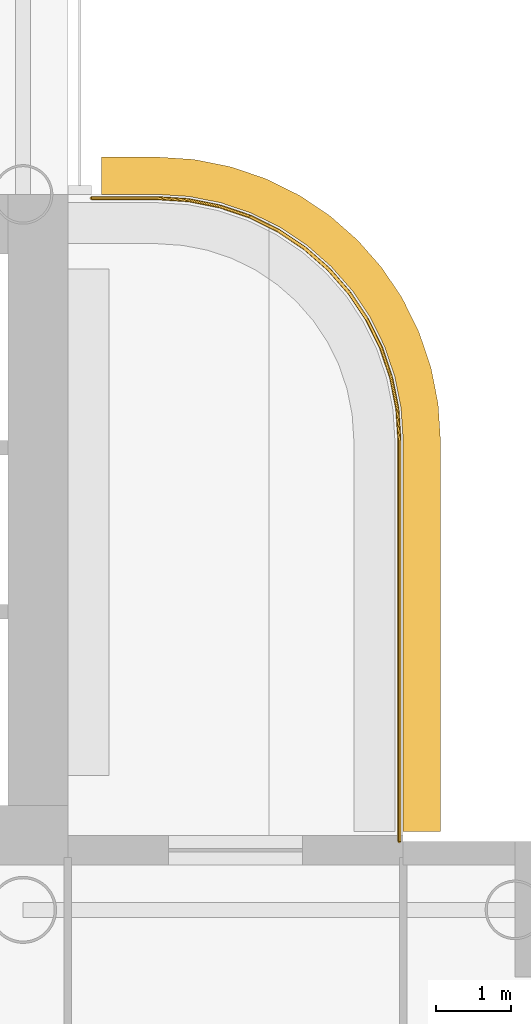
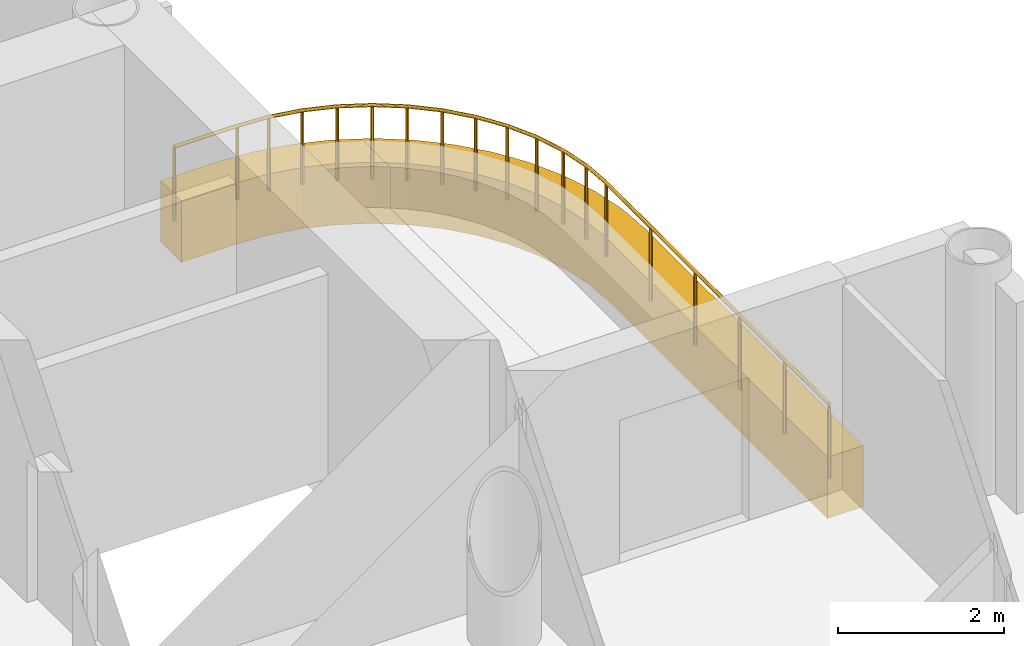
# One storey, part 19 of 20: 1 covering, 1 railing.
"""IFC4 building model written with IfcOpenShell, lengths in metres."""

from ifc_helpers import new_model, si_unit, direction, frame, origin, origin_2d, place, context, subcontext, project, spatial, polyline, circle, outline, extrude, material, layer, layer_set, type_object, element, save


model = new_model("IFC4")

# Units and contexts
model_context = context("Model", 3, precision=1e-05, world=origin(), true_north=direction((0.0, 1.0)))
body_context = subcontext(model_context, "Body", "Model", "MODEL_VIEW")
ifc_project = project(units=[si_unit("LENGTHUNIT", "METRE"), si_unit("AREAUNIT", "SQUARE_METRE"), si_unit("VOLUMEUNIT", "CUBIC_METRE"), si_unit("PLANEANGLEUNIT", "RADIAN"), si_unit("MASSUNIT", "GRAM", prefix="KILO")], contexts=[model_context])

# Site, building, storey
site_placement = place(None, origin())
site = spatial("IfcSite", under=ifc_project, at=site_placement, CompositionType="ELEMENT")
building_placement = place(site_placement, origin())
building = spatial("IfcBuilding", under=site, at=building_placement, Name="Ipe Terrace Towers", CompositionType="ELEMENT")
storey_placement = place(building_placement, frame((0.0, 0.0, 160.89990234375)))
storey = spatial("IfcBuildingStorey", under=building, at=storey_placement, Name="L44", CompositionType="ELEMENT", Elevation=160.89990234375)

# Railing
ifc_material_1 = material(Name="Stainless steel S316", Category="steel")
railing_type = type_object("IfcRailingType", Name="GUARD 1100", PredefinedType="BALUSTRADE", material=ifc_material_1)
railing_placement = place(storey_placement, frame((47.199951171875, 7.070068359375, -0.02001953125)))
element("IfcRailing", 1, at=railing_placement, inside=storey, type_object=railing_type, Name="guard", PredefinedType="BALUSTRADE", context=body_context, shape_type="SweptSolid", body=[
    extrude(circle(Radius=0.02392578125, at=origin_2d()), frame((0.0, 0.0, 1.076171875), z_axis=(0.0, 1.0, 0.0), x_axis=(-1.0, 0.0, 0.0)), (0.0, 0.0, 1.0), 5.3779296875),
    extrude(circle(Radius=0.02392578125, at=origin_2d()), frame((0.0, 5.3779296875, 1.076171875), z_axis=(-0.065190546171, 0.997872833927, 0.0), x_axis=(-0.997872833927, -0.065190546171, 0.0)), (0.0, 0.0, 1.0), 0.427001953125),
    extrude(circle(Radius=0.02392578125, at=origin_2d()), frame((-0.02783203125, 5.803955078125, 1.076171875), z_axis=(-0.195232649896, 0.980756958892, 0.0), x_axis=(-0.980756958892, -0.195232649896, 0.0)), (0.0, 0.0, 1.0), 0.42529296875),
    extrude(circle(Radius=0.02392578125, at=origin_2d()), frame((-0.11083984375, 6.220947265625, 1.076171875), z_axis=(-0.320184280026, 0.947355280148, 0.0), x_axis=(-0.947355280148, -0.320184280026, 0.0)), (0.0, 0.0, 1.0), 0.425537109375),
    extrude(circle(Radius=0.02392578125, at=origin_2d()), frame((-0.2470703125, 6.6240234375, 1.076171875), z_axis=(-0.444455160923, 0.895801099535, 0.0), x_axis=(-0.895801099535, -0.444455160923, 0.0)), (0.0, 0.0, 1.0), 0.425048828125),
    extrude(circle(Radius=0.02392578125, at=origin_2d()), frame((-0.43603515625, 7.0048828125, 1.076171875), z_axis=(-0.55549616226, 0.83151910003, 0.0), x_axis=(-0.83151910003, -0.55549616226, 0.0)), (0.0, 0.0, 1.0), 0.424560546875),
    extrude(circle(Radius=0.02392578125, at=origin_2d()), frame((-0.671875, 7.35791015625, 1.076171875), z_axis=(-0.658463964434, 0.752612255774, 0.0), x_axis=(-0.752612255774, -0.658463964434, 0.0)), (0.0, 0.0, 1.0), 0.42529296875),
    extrude(circle(Radius=0.02392578125, at=origin_2d()), frame((-0.951904296875, 7.677978515625, 1.076171875), z_axis=(-0.752612255774, 0.658463964434, 0.0), x_axis=(-0.658463964434, -0.752612255774, 0.0)), (0.0, 0.0, 1.0), 0.42529296875),
    extrude(circle(Radius=0.02392578125, at=origin_2d()), frame((-1.27197265625, 7.9580078125, 1.076171875), z_axis=(-0.83151910003, 0.55549616226, 0.0), x_axis=(-0.55549616226, -0.83151910003, 0.0)), (0.0, 0.0, 1.0), 0.424560546875),
    extrude(circle(Radius=0.02392578125, at=origin_2d()), frame((-1.625, 8.19384765625, 1.076171875), z_axis=(-0.895801099535, 0.444455160923, 0.0), x_axis=(-0.444455160923, -0.895801099535, 0.0)), (0.0, 0.0, 1.0), 0.425048828125),
    extrude(circle(Radius=0.02392578125, at=origin_2d()), frame((-2.005859375, 8.3828125, 1.076171875), z_axis=(-0.947355280148, 0.320184280026, 0.0), x_axis=(-0.320184280026, -0.947355280148, 0.0)), (0.0, 0.0, 1.0), 0.425537109375),
    extrude(circle(Radius=0.02392578125, at=origin_2d()), frame((-2.408935546875, 8.51904296875, 1.076171875), z_axis=(-0.980756958892, 0.195232649896, 0.0), x_axis=(-0.195232649896, -0.980756958892, 0.0)), (0.0, 0.0, 1.0), 0.42529296875),
    extrude(circle(Radius=0.02392578125, at=origin_2d()), frame((-2.825927734375, 8.60205078125, 1.076171875), z_axis=(-0.997872833927, 0.065190546171, 0.0), x_axis=(-0.065190546171, -0.997872833927, 0.0)), (0.0, 0.0, 1.0), 0.427001953125),
    extrude(circle(Radius=0.02392578125, at=origin_2d()), frame((-3.251953125, 8.6298828125, 1.076171875), z_axis=(-1.0, 0.0, 0.0), x_axis=(0.0, -1.0, 0.0)), (0.0, 0.0, 1.0), 0.8779296875),
    extrude(circle(Radius=0.02099609375, at=origin_2d()), origin(), (0.0, 0.0, 1.0), 1.052001953125),
    extrude(circle(Radius=0.02099609375, at=origin_2d()), frame((0.0, 1.07568359375, 0.0)), (0.0, 0.0, 1.0), 1.052001953125),
    extrude(circle(Radius=0.02099609375, at=origin_2d()), frame((0.0, 2.151123046875, 0.0)), (0.0, 0.0, 1.0), 1.052001953125),
    extrude(circle(Radius=0.02099609375, at=origin_2d()), frame((0.0, 3.226806640625, 0.0)), (0.0, 0.0, 1.0), 1.052001953125),
    extrude(circle(Radius=0.02099609375, at=origin_2d()), frame((0.0, 4.30224609375, 0.0)), (0.0, 0.0, 1.0), 1.052001953125),
    extrude(circle(Radius=0.02099609375, at=origin_2d()), frame((0.0, 5.3779296875, 0.0)), (0.0, 0.0, 1.0), 1.052001953125),
    extrude(circle(Radius=0.02099609375, at=origin_2d()), frame((-0.02783203125, 5.803955078125, 0.0)), (0.0, 0.0, 1.0), 1.052001953125),
    extrude(circle(Radius=0.02099609375, at=origin_2d()), frame((-0.11083984375, 6.220947265625, 0.0)), (0.0, 0.0, 1.0), 1.052001953125),
    extrude(circle(Radius=0.02099609375, at=origin_2d()), frame((-0.2470703125, 6.6240234375, 0.0)), (0.0, 0.0, 1.0), 1.052001953125),
    extrude(circle(Radius=0.02099609375, at=origin_2d()), frame((-0.43603515625, 7.0048828125, 0.0)), (0.0, 0.0, 1.0), 1.052001953125),
    extrude(circle(Radius=0.02099609375, at=origin_2d()), frame((-0.671875, 7.35791015625, 0.0)), (0.0, 0.0, 1.0), 1.052001953125),
    extrude(circle(Radius=0.02099609375, at=origin_2d()), frame((-0.951904296875, 7.677978515625, 0.0)), (0.0, 0.0, 1.0), 1.052001953125),
    extrude(circle(Radius=0.02099609375, at=origin_2d()), frame((-1.27197265625, 7.9580078125, 0.0)), (0.0, 0.0, 1.0), 1.052001953125),
    extrude(circle(Radius=0.02099609375, at=origin_2d()), frame((-1.625, 8.19384765625, 0.0)), (0.0, 0.0, 1.0), 1.052001953125),
    extrude(circle(Radius=0.02099609375, at=origin_2d()), frame((-2.005859375, 8.3828125, 0.0)), (0.0, 0.0, 1.0), 1.052001953125),
    extrude(circle(Radius=0.02099609375, at=origin_2d()), frame((-2.408935546875, 8.51904296875, 0.0)), (0.0, 0.0, 1.0), 1.052001953125),
    extrude(circle(Radius=0.02099609375, at=origin_2d()), frame((-2.825927734375, 8.60205078125, 0.0)), (0.0, 0.0, 1.0), 1.052001953125),
    extrude(circle(Radius=0.02099609375, at=origin_2d()), frame((-3.251953125, 8.6298828125, 0.0)), (0.0, 0.0, 1.0), 1.052001953125),
    extrude(circle(Radius=0.02099609375, at=origin_2d()), frame((-4.1298828125, 8.6298828125, 0.0)), (0.0, 0.0, 1.0), 1.052001953125),
])

# Covering
ifc_material_2 = material(Name="Concrete C50/60 precast, buff finish", Category="concrete")
ifc_layer = layer(ifc_material_2, 0.5)
ifc_layer_set = layer_set([ifc_layer], Name="STONE EDGE BAND 500 x 900")
covering_type = type_object("IfcCoveringType", Name="STONE EDGE BAND 500 x 900", PredefinedType="CLADDING", material=ifc_layer_set)
covering_placement = place(storey_placement, frame((0.0, 0.0, -0.719970703125)))
element("IfcCovering", 2, at=covering_placement, inside=storey, type_object=covering_type, Name="stone edge band", PredefinedType="CLADDING", context=body_context, shape_type="SweptSolid", body=[
    extrude(outline(polyline([(47.75, 12.449951171875), (47.7490234375, 12.48291015625), (47.720947265625, 12.9130859375), (47.7119140625, 12.97802734375), (47.6279296875, 13.402099609375), (47.611083984375, 13.465087890625), (47.471923828125, 13.8740234375), (47.447021484375, 13.93408203125), (47.256103515625, 14.321044921875), (47.22412109375, 14.3779296875), (46.98388671875, 14.737060546875), (46.944091796875, 14.7890625), (46.658935546875, 15.113037109375), (46.613037109375, 15.158935546875), (46.2890625, 15.444091796875), (46.237060546875, 15.48388671875), (45.8779296875, 15.72412109375), (45.821044921875, 15.756103515625), (45.43408203125, 15.947021484375), (45.3740234375, 15.971923828125), (44.965087890625, 16.111083984375), (44.902099609375, 16.1279296875), (44.47802734375, 16.2119140625), (44.4130859375, 16.220947265625), (43.98291015625, 16.2490234375), (43.949951171875, 16.25), (43.199951171875, 16.25), (43.199951171875, 15.75), (43.949951171875, 15.75), (44.381103515625, 15.721923828125), (44.803955078125, 15.637939453125), (45.212890625, 15.4990234375), (45.60009765625, 15.30810546875), (45.958984375, 15.068115234375), (46.282958984375, 14.782958984375), (46.568115234375, 14.458984375), (46.80810546875, 14.10009765625), (46.9990234375, 13.712890625), (47.137939453125, 13.303955078125), (47.221923828125, 12.881103515625), (47.25, 12.449951171875), (47.25, 7.199951171875), (47.75, 7.199951171875), (47.75, 12.449951171875)])), origin(), (0.0, 0.0, 1.0), 0.900146484375),
])

save(model, "model.ifc")
